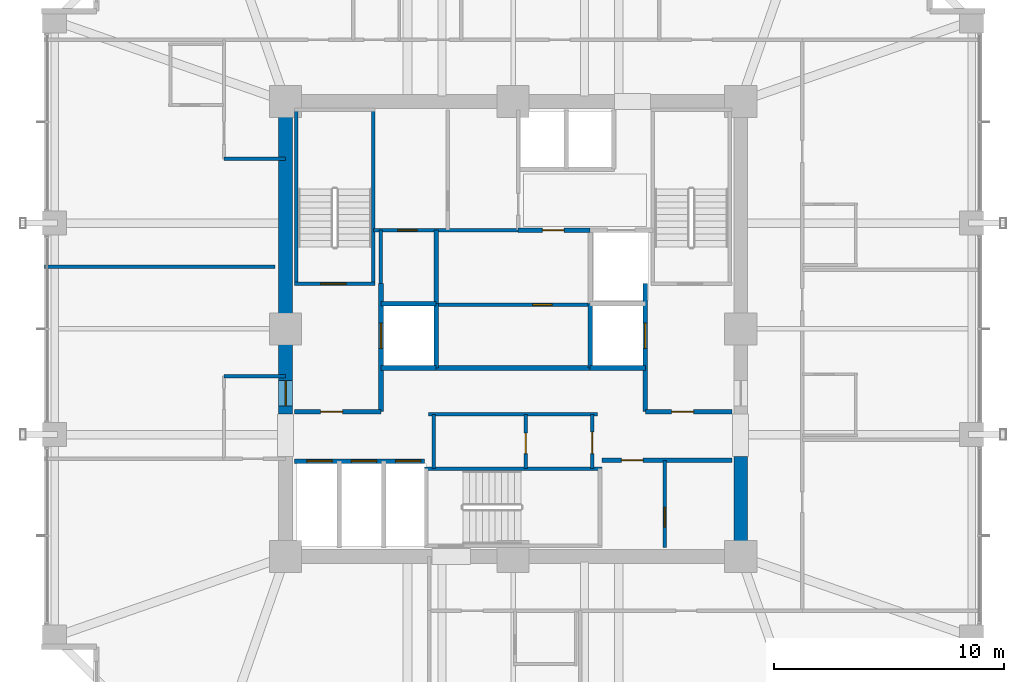
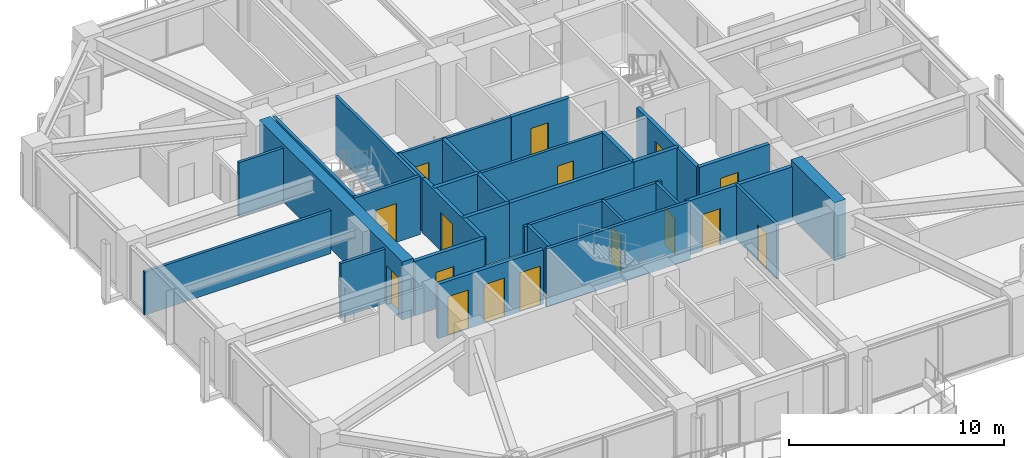
# One storey, part 33 of 38: 31 walls, 16 doors, 16 openings.
"""IFC4 building model written with IfcOpenShell, lengths in metres."""

from ifc_helpers import new_model, si_unit, direction, frame, frame_2d, origin, place, context, subcontext, project, spatial, rectangle, extrude, material, layer, layer_set, type_object, element, fill, save


model = new_model("IFC4")

# Units and contexts
model_context = context("Model", 3, precision=1e-05, world=origin(), true_north=direction((0.0, 1.0)))
body_context = subcontext(model_context, "Body", "Model", "MODEL_VIEW")
ifc_project = project(units=[si_unit("LENGTHUNIT", "METRE"), si_unit("AREAUNIT", "SQUARE_METRE"), si_unit("VOLUMEUNIT", "CUBIC_METRE"), si_unit("PLANEANGLEUNIT", "RADIAN"), si_unit("MASSUNIT", "GRAM", prefix="KILO")], contexts=[model_context])

# Site, building, storey
site_placement = place(None, origin())
site = spatial("IfcSite", under=ifc_project, at=site_placement, CompositionType="ELEMENT")
building_placement = place(site_placement, origin())
building = spatial("IfcBuilding", under=site, at=building_placement, Name="Kolvaren Belvedere", CompositionType="ELEMENT")
storey_placement = place(building_placement, frame((0.0, 0.0, 78.800048828125)))
storey = spatial("IfcBuildingStorey", under=building, at=storey_placement, Name="L22", CompositionType="ELEMENT", Elevation=78.800048828125)

# Wall
ifc_material_1 = material(Name="Concrete C60/75", Category="concrete")
ifc_layer_1 = layer(ifc_material_1, 0.60009765625)
ifc_layer_set_1 = layer_set([ifc_layer_1], Name="Concrete C60/75")
wall_type_1 = type_object("IfcWallType", Name="CW-CORE-600", PredefinedType="SHEAR", material=ifc_layer_set_1)
wall_1_placement = place(storey_placement, frame((9.89990234375, -9.60009765625, 0.0), z_axis=(0.0, 0.0, 1.0), x_axis=(0.0, 1.0, 0.0)))
element("IfcWall", 1, at=wall_1_placement, inside=storey, type_object=wall_type_1, Name="L22 East Core Shear Wall 1", PredefinedType="SHEAR", context=body_context, shape_type="SweptSolid", body=[
    extrude(rectangle(XDim=4.050048828125, YDim=0.60009765625, at=frame_2d((2.02490234375, 0.0))), origin(), (0.0, 0.0, 1.0), 3.300048828125),
])

# Wall, opening, door
wall_2_placement = place(storey_placement, frame((-9.89990234375, -3.699951171875, 0.0), z_axis=(0.0, 0.0, 1.0), x_axis=(0.0, 1.0, 0.0)))
wall_2 = element("IfcWall", 2, at=wall_2_placement, inside=storey, type_object=wall_type_1, Name="L22 West Core Shear Wall 2", PredefinedType="SHEAR", context=body_context, shape_type="SweptSolid", body=[
    extrude(rectangle(XDim=13.300048828125, YDim=0.60009765625, at=frame_2d((6.64990234375, 0.0))), origin(), (0.0, 0.0, 1.0), 3.300048828125),
])
opening_1_placement = place(wall_2_placement, frame((0.35009765625, 0.0, 0.0)))
opening_1 = element("IfcOpeningElement", 3, at=opening_1_placement, cuts=wall_2, Name="Opening D-FD90", PredefinedType="OPENING", context=body_context, shape_type="SweptSolid", body=[
    extrude(rectangle(XDim=1.10009765625, YDim=2.199951171875, at=frame_2d((0.550048828125, 1.10009765625))), frame((0.0, 0.31005859375, 0.0), z_axis=(0.0, -1.0, 0.0), x_axis=(1.0, 0.0, 0.0)), (0.0, 0.0, 1.0), 0.6201171875),
])
ifc_material_2 = material(Name="Painted hollow stainless steel", Category="steel")
door_type_1 = type_object("IfcDoorType", Name="DR-FD90-1100", OperationType="NOTDEFINED", PredefinedType="DOOR", material=ifc_material_2)
door_1_placement = place(opening_1_placement, origin())
door_1 = element("IfcDoor", 4, at=door_1_placement, inside=storey, type_object=door_type_1, Name="L22 West Firefighting Lobby Fire Door", OperationType="SINGLE_SWING_LEFT", OverallHeight=2.199951171875, OverallWidth=1.10009765625, PredefinedType="DOOR", context=body_context, shape_type="SweptSolid", body=[
    extrude(rectangle(XDim=1.10009765625, YDim=2.199951171875, at=frame_2d((0.550048828125, 1.10009765625))), frame((0.0, 0.02490234375, 0.0), z_axis=(0.0, -1.0, 0.0), x_axis=(1.0, 0.0, 0.0)), (0.0, 0.0, 1.0), 0.050048828125),
])
fill(opening_1, door_1)

ifc_material_3 = material(Name="Concrete C50/60", Category="concrete")
ifc_layer_2 = layer(ifc_material_3, 0.159912109375)
ifc_layer_set_2 = layer_set([ifc_layer_2], Name="Concrete C50/60")
wall_type_2 = type_object("IfcWallType", Name="CW-STAIR-160", PredefinedType="SHEAR", material=ifc_layer_set_2)
wall_3_placement = place(storey_placement, frame((-9.52001953125, 1.969970703125, 0.0), z_axis=(0.0, 0.0, 1.0), x_axis=(1.0, 0.0, 0.0)))
wall_3 = element("IfcWall", 5, at=wall_3_placement, inside=storey, type_object=wall_type_2, Name="L22 Stair ST-1 South Shear Wall", PredefinedType="SHEAR", context=body_context, shape_type="SweptSolid", body=[
    extrude(rectangle(XDim=3.52001953125, YDim=0.159912109375, at=frame_2d((1.760009765625, 0.0))), origin(), (0.0, 0.0, 1.0), 3.300048828125),
])
opening_2_placement = place(wall_3_placement, frame((1.14990234375, 0.0, 0.0)))
opening_2 = element("IfcOpeningElement", 6, at=opening_2_placement, cuts=wall_3, Name="Opening D-FD90", PredefinedType="OPENING", context=body_context, shape_type="SweptSolid", body=[
    extrude(rectangle(XDim=1.10009765625, YDim=2.199951171875, at=frame_2d((0.550048828125, 1.10009765625))), frame((0.0, 0.08984375, 0.0), z_axis=(0.0, -1.0, 0.0), x_axis=(1.0, 0.0, 0.0)), (0.0, 0.0, 1.0), 0.179931640625),
])
door_2_placement = place(opening_2_placement, origin())
door_2 = element("IfcDoor", 7, at=door_2_placement, inside=storey, type_object=door_type_1, Name="L22 Stair ST-1 Fire Door", OperationType="SINGLE_SWING_LEFT", OverallHeight=2.199951171875, OverallWidth=1.10009765625, PredefinedType="DOOR", context=body_context, shape_type="SweptSolid", body=[
    extrude(rectangle(XDim=1.10009765625, YDim=2.199951171875, at=frame_2d((0.550048828125, 1.10009765625))), frame((0.0, 0.02490234375, 0.0), z_axis=(0.0, -1.0, 0.0), x_axis=(1.0, 0.0, 0.0)), (0.0, 0.0, 1.0), 0.050048828125),
])
fill(opening_2, door_2)

# Walls
for number, where, z_axis, x_axis, name in (
    (8, (-9.429931640625, 1.969970703125, 0.0), (0.0, 0.0, 1.0), (0.0, 1.0, 0.0), "L22 Stair ST-1 West Shear Wall"),
    (9, (-6.080078125, 1.969970703125, 0.0), (0.0, 0.0, 1.0), (0.0, 1.0, 0.0), "L22 Stair ST-1 East Shear Wall"),
):
    element("IfcWall", number, at=place(storey_placement, frame(where, z_axis=z_axis, x_axis=x_axis)), inside=storey, type_object=wall_type_2, Name=name, PredefinedType="SHEAR", context=body_context, shape_type="SweptSolid", body=[
        extrude(rectangle(XDim=7.56005859375, YDim=0.159912109375, at=frame_2d((3.780029296875, 0.0))), origin(), (0.0, 0.0, 1.0), 3.300048828125),
    ])
wall_4_placement = place(storey_placement, frame((-3.860107421875, -6.080078125, 0.0), z_axis=(0.0, 0.0, 1.0), x_axis=(1.0, 0.0, 0.0)))
element("IfcWall", 10, at=wall_4_placement, inside=storey, type_object=wall_type_2, Name="L22 Stair ST-3 North Shear Wall", PredefinedType="SHEAR", context=body_context, shape_type="SweptSolid", body=[
    extrude(rectangle(XDim=7.72021484375, YDim=0.159912109375, at=frame_2d((3.860107421875, 0.0))), origin(), (0.0, 0.0, 1.0), 3.300048828125),
])
ifc_material_4 = material(Name="Gypsum fire-rated partition assembly", Category="gypsum")
ifc_layer_3 = layer(ifc_material_4, 0.14990234375)
ifc_layer_set_3 = layer_set([ifc_layer_3], Name="Gypsum fire-rated partition assembly")
wall_type_3 = type_object("IfcWallType", Name="WL-CORR-150", PredefinedType="PARTITIONING", material=ifc_layer_set_3)
for number, where, z_axis, x_axis, name in (
    (11, (-12.580078125, 7.39990234375, 0.0), (0.0, 0.0, 1.0), (1.0, 0.0, 0.0), "L22 NW Core Closure Wall"),
    (12, (-12.580078125, -2.050048828125, 0.0), (0.0, 0.0, 1.0), (1.0, 0.0, 0.0), "L22 West Pocket North Closure Wall"),
):
    element("IfcWall", number, at=place(storey_placement, frame(where, z_axis=z_axis, x_axis=x_axis)), inside=storey, type_object=wall_type_3, Name=name, PredefinedType="PARTITIONING", context=body_context, shape_type="SweptSolid", body=[
        extrude(rectangle(XDim=2.68017578125, YDim=0.14990234375, at=frame_2d((1.340087890625, 0.0))), origin(), (0.0, 0.0, 1.0), 3.079833984375),
    ])

# Wall, opening, door
ifc_material_5 = material(Name="Gypsum acoustic partition assembly", Category="gypsum")
ifc_layer_4 = layer(ifc_material_5, 0.14990234375)
ifc_layer_set_4 = layer_set([ifc_layer_4], Name="Gypsum acoustic partition assembly")
wall_type_4 = type_object("IfcWallType", Name="WL-PART-150", PredefinedType="PARTITIONING", material=ifc_layer_set_4)
wall_5_placement = place(storey_placement, frame((-6.080078125, 4.300048828125, 0.0), z_axis=(0.0, 0.0, 1.0), x_axis=(1.0, 0.0, 0.0)))
wall_5 = element("IfcWall", 13, at=wall_5_placement, inside=storey, type_object=wall_type_4, Name="L22 Reclaimed Salon South Wall", PredefinedType="PARTITIONING", context=body_context, shape_type="SweptSolid", body=[
    extrude(rectangle(XDim=6.300048828125, YDim=0.14990234375, at=frame_2d((3.14990234375, 0.0))), origin(), (0.0, 0.0, 1.0), 3.079833984375),
])
opening_3_placement = place(wall_5_placement, frame((1.050048828125, 0.0, 0.0)))
opening_3 = element("IfcOpeningElement", 14, at=opening_3_placement, cuts=wall_5, Name="Opening D-INT85", PredefinedType="OPENING", context=body_context, shape_type="SweptSolid", body=[
    extrude(rectangle(XDim=0.85009765625, YDim=2.030029296875, at=frame_2d((0.425048828125, 1.01513671875))), frame((0.0, 0.0849609375, 0.0), z_axis=(0.0, -1.0, 0.0), x_axis=(1.0, 0.0, 0.0)), (0.0, 0.0, 1.0), 0.169921875),
])
ifc_material_6 = material(Name="Stained Pacific white oak", Category="timber")
door_type_2 = type_object("IfcDoorType", Name="DR-INT-850", OperationType="NOTDEFINED", PredefinedType="DOOR", material=ifc_material_6)
door_3_placement = place(opening_3_placement, origin())
door_3 = element("IfcDoor", 15, at=door_3_placement, inside=storey, type_object=door_type_2, Name="L22 NW Core Store Door", OperationType="SINGLE_SWING_RIGHT", OverallHeight=2.030029296875, OverallWidth=0.85009765625, PredefinedType="DOOR", context=body_context, shape_type="SweptSolid", body=[
    extrude(rectangle(XDim=0.85009765625, YDim=2.030029296875, at=frame_2d((0.425048828125, 1.01513671875))), frame((0.0, 0.02490234375, 0.0), z_axis=(0.0, -1.0, 0.0), x_axis=(1.0, 0.0, 0.0)), (0.0, 0.0, 1.0), 0.050048828125),
])
fill(opening_3, door_3)

wall_6_placement = place(storey_placement, frame((6.60009765625, -9.52001953125, 0.0), z_axis=(0.0, 0.0, 1.0), x_axis=(0.0, 1.0, 0.0)))
wall_6 = element("IfcWall", 16, at=wall_6_placement, inside=storey, type_object=wall_type_4, Name="L22 SE Core Divider", PredefinedType="PARTITIONING", context=body_context, shape_type="SweptSolid", body=[
    extrude(rectangle(XDim=3.800048828125, YDim=0.14990234375, at=frame_2d((1.89990234375, 0.0))), origin(), (0.0, 0.0, 1.0), 3.079833984375),
])
opening_4_placement = place(wall_6_placement, frame((0.89990234375, 0.0, 0.0)))
opening_4 = element("IfcOpeningElement", 17, at=opening_4_placement, cuts=wall_6, Name="Opening D-INT85", PredefinedType="OPENING", context=body_context, shape_type="SweptSolid", body=[
    extrude(rectangle(XDim=0.85009765625, YDim=2.030029296875, at=frame_2d((0.425048828125, 1.01513671875))), frame((0.0, 0.0849609375, 0.0), z_axis=(0.0, -1.0, 0.0), x_axis=(1.0, 0.0, 0.0)), (0.0, 0.0, 1.0), 0.169921875),
])
door_4_placement = place(opening_4_placement, origin())
door_4 = element("IfcDoor", 18, at=door_4_placement, inside=storey, type_object=door_type_2, Name="L22 SE Switchboard Door", OperationType="SINGLE_SWING_LEFT", OverallHeight=2.030029296875, OverallWidth=0.85009765625, PredefinedType="DOOR", context=body_context, shape_type="SweptSolid", body=[
    extrude(rectangle(XDim=0.85009765625, YDim=2.030029296875, at=frame_2d((0.425048828125, 1.01513671875))), frame((0.0, 0.02490234375, 0.0), z_axis=(0.0, -1.0, 0.0), x_axis=(1.0, 0.0, 0.0)), (0.0, 0.0, 1.0), 0.050048828125),
])
fill(opening_4, door_4)

wall_7_placement = place(storey_placement, frame((-3.35009765625, 1.050048828125, 0.0), z_axis=(0.0, 0.0, 1.0), x_axis=(1.0, 0.0, 0.0)))
wall_7 = element("IfcWall", 19, at=wall_7_placement, inside=storey, type_object=wall_type_4, Name="L22 Central Core H-Divider", PredefinedType="PARTITIONING", context=body_context, shape_type="SweptSolid", body=[
    extrude(rectangle(XDim=6.7001953125, YDim=0.14990234375, at=frame_2d((3.35009765625, 0.0))), origin(), (0.0, 0.0, 1.0), 3.079833984375),
])
opening_5_placement = place(wall_7_placement, frame((4.199951171875, 0.0, 0.0)))
opening_5 = element("IfcOpeningElement", 20, at=opening_5_placement, cuts=wall_7, Name="Opening D-INT85", PredefinedType="OPENING", context=body_context, shape_type="SweptSolid", body=[
    extrude(rectangle(XDim=0.85009765625, YDim=2.030029296875, at=frame_2d((0.425048828125, 1.01513671875))), frame((0.0, 0.0849609375, 0.0), z_axis=(0.0, -1.0, 0.0), x_axis=(1.0, 0.0, 0.0)), (0.0, 0.0, 1.0), 0.169921875),
])
door_5_placement = place(opening_5_placement, origin())
door_5 = element("IfcDoor", 21, at=door_5_placement, inside=storey, type_object=door_type_2, Name="L22 Central Archive Door", OperationType="SINGLE_SWING_LEFT", OverallHeight=2.030029296875, OverallWidth=0.85009765625, PredefinedType="DOOR", context=body_context, shape_type="SweptSolid", body=[
    extrude(rectangle(XDim=0.85009765625, YDim=2.030029296875, at=frame_2d((0.425048828125, 1.01513671875))), frame((0.0, 0.02490234375, 0.0), z_axis=(0.0, -1.0, 0.0), x_axis=(1.0, 0.0, 0.0)), (0.0, 0.0, 1.0), 0.050048828125),
])
fill(opening_5, door_5)

# Wall
wall_8_placement = place(storey_placement, frame((-3.679931640625, -3.719970703125, 0.0), z_axis=(0.0, 0.0, 1.0), x_axis=(1.0, 0.0, 0.0)))
element("IfcWall", 22, at=wall_8_placement, inside=storey, type_object=wall_type_4, Name="L22 South Core Service North Wall", PredefinedType="PARTITIONING", context=body_context, shape_type="SweptSolid", body=[
    extrude(rectangle(XDim=7.35986328125, YDim=0.14990234375, at=frame_2d((3.679931640625, 0.0))), origin(), (0.0, 0.0, 1.0), 3.079833984375),
])

# Wall, opening, door
wall_9_placement = place(storey_placement, frame((3.449951171875, -6.080078125, 0.0), z_axis=(0.0, 0.0, 1.0), x_axis=(0.0, 1.0, 0.0)))
wall_9 = element("IfcWall", 23, at=wall_9_placement, inside=storey, type_object=wall_type_4, Name="L22 South Core Service East Wall", PredefinedType="PARTITIONING", context=body_context, shape_type="SweptSolid", body=[
    extrude(rectangle(XDim=2.360107421875, YDim=0.14990234375, at=frame_2d((1.18017578125, 0.0))), origin(), (0.0, 0.0, 1.0), 3.079833984375),
])
opening_6_placement = place(wall_9_placement, frame((0.64990234375, 0.0, 0.0)))
opening_6 = element("IfcOpeningElement", 24, at=opening_6_placement, cuts=wall_9, Name="Opening D-FD60", PredefinedType="OPENING", context=body_context, shape_type="SweptSolid", body=[
    extrude(rectangle(XDim=0.949951171875, YDim=2.06005859375, at=frame_2d((0.47509765625, 1.030029296875))), frame((0.0, 0.0849609375, 0.0), z_axis=(0.0, -1.0, 0.0), x_axis=(1.0, 0.0, 0.0)), (0.0, 0.0, 1.0), 0.169921875),
])
ifc_material_7 = material(Name="Acoustic white-oak fire door leaf", Category="timber")
door_type_3 = type_object("IfcDoorType", Name="DR-FD60-950", OperationType="NOTDEFINED", PredefinedType="DOOR", material=ifc_material_7)
door_6_placement = place(opening_6_placement, origin())
door_6 = element("IfcDoor", 25, at=door_6_placement, inside=storey, type_object=door_type_3, Name="L22 Core Service Room Door", OperationType="SINGLE_SWING_LEFT", OverallHeight=2.06005859375, OverallWidth=0.949951171875, PredefinedType="DOOR", context=body_context, shape_type="SweptSolid", body=[
    extrude(rectangle(XDim=0.949951171875, YDim=2.06005859375, at=frame_2d((0.47509765625, 1.030029296875))), frame((0.0, 0.02490234375, 0.0), z_axis=(0.0, -1.0, 0.0), x_axis=(1.0, 0.0, 0.0)), (0.0, 0.0, 1.0), 0.050048828125),
])
fill(opening_6, door_6)

# Wall
wall_10_placement = place(storey_placement, frame((-3.449951171875, -6.080078125, 0.0), z_axis=(0.0, 0.0, 1.0), x_axis=(0.0, 1.0, 0.0)))
element("IfcWall", 26, at=wall_10_placement, inside=storey, type_object=wall_type_4, Name="L22 South Core Service West Wall", PredefinedType="PARTITIONING", context=body_context, shape_type="SweptSolid", body=[
    extrude(rectangle(XDim=2.360107421875, YDim=0.14990234375, at=frame_2d((1.18017578125, 0.0))), origin(), (0.0, 0.0, 1.0), 3.079833984375),
])

# Wall, opening, door
wall_11_placement = place(storey_placement, frame((0.550048828125, -6.080078125, 0.0), z_axis=(0.0, 0.0, 1.0), x_axis=(0.0, 1.0, 0.0)))
wall_11 = element("IfcWall", 27, at=wall_11_placement, inside=storey, type_object=wall_type_4, Name="L22 Core Service Divider", PredefinedType="PARTITIONING", context=body_context, shape_type="SweptSolid", body=[
    extrude(rectangle(XDim=2.360107421875, YDim=0.14990234375, at=frame_2d((1.18017578125, 0.0))), origin(), (0.0, 0.0, 1.0), 3.079833984375),
])
opening_7_placement = place(wall_11_placement, frame((0.64990234375, 0.0, 0.0)))
opening_7 = element("IfcOpeningElement", 28, at=opening_7_placement, cuts=wall_11, Name="Opening D-INT90", PredefinedType="OPENING", context=body_context, shape_type="SweptSolid", body=[
    extrude(rectangle(XDim=0.89990234375, YDim=2.06005859375, at=frame_2d((0.449951171875, 1.030029296875))), frame((0.0, 0.0849609375, 0.0), z_axis=(0.0, -1.0, 0.0), x_axis=(1.0, 0.0, 0.0)), (0.0, 0.0, 1.0), 0.169921875),
])
ifc_material_8 = material(Name="Stained Pacific white oak", Category="timber")
door_type_4 = type_object("IfcDoorType", Name="DR-INT-900", OperationType="NOTDEFINED", PredefinedType="DOOR", material=ifc_material_8)
door_7_placement = place(opening_7_placement, origin())
door_7 = element("IfcDoor", 29, at=door_7_placement, inside=storey, type_object=door_type_4, Name="L22 BMS Inner Door", OperationType="SINGLE_SWING_LEFT", OverallHeight=2.06005859375, OverallWidth=0.89990234375, PredefinedType="DOOR", context=body_context, shape_type="SweptSolid", body=[
    extrude(rectangle(XDim=0.89990234375, YDim=2.06005859375, at=frame_2d((0.449951171875, 1.030029296875))), frame((0.0, 0.02490234375, 0.0), z_axis=(0.0, -1.0, 0.0), x_axis=(1.0, 0.0, 0.0)), (0.0, 0.0, 1.0), 0.050048828125),
])
fill(opening_7, door_7)

# Walls
wall_12_placement = place(storey_placement, frame((-5.75, 1.969970703125, 0.0), z_axis=(0.0, 0.0, 1.0), x_axis=(0.0, 1.0, 0.0)))
element("IfcWall", 30, at=wall_12_placement, inside=storey, type_object=wall_type_4, Name="L22 NW Service Room West Wall", PredefinedType="PARTITIONING", context=body_context, shape_type="SweptSolid", body=[
    extrude(rectangle(XDim=2.330078125, YDim=0.14990234375, at=frame_2d((1.1650390625, 0.0))), origin(), (0.0, 0.0, 1.0), 3.079833984375),
])
wall_13_placement = place(storey_placement, frame((-20.3798828125, 2.699951171875, 0.0), z_axis=(0.0, 0.0, 1.0), x_axis=(1.0, 0.0, 0.0)))
element("IfcWall", 31, at=wall_13_placement, inside=storey, type_object=wall_type_4, Name="L22 West Upper Suite Divider", PredefinedType="PARTITIONING", context=body_context, shape_type="SweptSolid", body=[
    extrude(rectangle(XDim=10.019775390625, YDim=0.14990234375, at=frame_2d((5.009765625, 0.0))), origin(), (0.0, 0.0, 1.0), 2.448974609375),
])

# Wall, opening, door
ifc_material_9 = material(Name="Concrete C50/60", Category="concrete")
ifc_layer_5 = layer(ifc_material_9, 0.199951171875)
ifc_layer_set_5 = layer_set([ifc_layer_5], Name="Concrete C50/60")
wall_type_5 = type_object("IfcWallType", Name="WL-SHAFT-200", PredefinedType="SOLIDWALL", material=ifc_layer_set_5)
wall_14_placement = place(storey_placement, frame((-9.52001953125, -3.60009765625, 0.0), z_axis=(0.0, 0.0, 1.0), x_axis=(1.0, 0.0, 0.0)))
wall_14 = element("IfcWall", 32, at=wall_14_placement, inside=storey, type_object=wall_type_5, Name="L22 West FSAE Lobby South Wall", PredefinedType="SOLIDWALL", context=body_context, shape_type="SweptSolid", body=[
    extrude(rectangle(XDim=3.77001953125, YDim=0.199951171875, at=frame_2d((1.885009765625, 0.0))), origin(), (0.0, 0.0, 1.0), 3.079833984375),
])
opening_8_placement = place(wall_14_placement, frame((1.14990234375, 0.0, 0.0)))
opening_8 = element("IfcOpeningElement", 33, at=opening_8_placement, cuts=wall_14, Name="Opening D-FD60", PredefinedType="OPENING", context=body_context, shape_type="SweptSolid", body=[
    extrude(rectangle(XDim=0.949951171875, YDim=2.06005859375, at=frame_2d((0.47509765625, 1.030029296875))), frame((0.0, 0.10986328125, 0.0), z_axis=(0.0, -1.0, 0.0), x_axis=(1.0, 0.0, 0.0)), (0.0, 0.0, 1.0), 0.219970703125),
])
door_8_placement = place(opening_8_placement, origin())
door_8 = element("IfcDoor", 34, at=door_8_placement, inside=storey, type_object=door_type_3, Name="L22 Mid-Rise Lift Lobby Fire Door", OperationType="SINGLE_SWING_LEFT", OverallHeight=2.06005859375, OverallWidth=0.949951171875, PredefinedType="DOOR", context=body_context, shape_type="SweptSolid", body=[
    extrude(rectangle(XDim=0.949951171875, YDim=2.06005859375, at=frame_2d((0.47509765625, 1.030029296875))), frame((0.0, 0.02490234375, 0.0), z_axis=(0.0, -1.0, 0.0), x_axis=(1.0, 0.0, 0.0)), (0.0, 0.0, 1.0), 0.050048828125),
])
fill(opening_8, door_8)

wall_15_placement = place(storey_placement, frame((-5.75, -3.60009765625, 0.0), z_axis=(0.0, 0.0, 1.0), x_axis=(0.0, 1.0, 0.0)))
wall_15 = element("IfcWall", 35, at=wall_15_placement, inside=storey, type_object=wall_type_5, Name="L22 FSAE FS1 Landing Wall", PredefinedType="SOLIDWALL", context=body_context, shape_type="SweptSolid", body=[
    extrude(rectangle(XDim=5.570068359375, YDim=0.199951171875, at=frame_2d((2.78515625, 0.0))), origin(), (0.0, 0.0, 1.0), 3.079833984375),
])
opening_9_placement = place(wall_15_placement, frame((2.75, 0.0, 0.0)))
opening_9 = element("IfcOpeningElement", 36, at=opening_9_placement, cuts=wall_15, Name="Opening LD-11", PredefinedType="OPENING", context=body_context, shape_type="SweptSolid", body=[
    extrude(rectangle(XDim=1.10009765625, YDim=2.199951171875, at=frame_2d((0.550048828125, 1.10009765625))), frame((0.0, 0.10986328125, 0.0), z_axis=(0.0, -1.0, 0.0), x_axis=(1.0, 0.0, 0.0)), (0.0, 0.0, 1.0), 0.219970703125),
])
ifc_material_10 = material(Name="Brushed stainless steel", Category="steel")
door_type_5 = type_object("IfcDoorType", Name="DR-LIFT-1100", OperationType="DOUBLE_DOOR_SLIDING", PredefinedType="DOOR", material=ifc_material_10)
door_9_placement = place(opening_9_placement, origin())
door_9 = element("IfcDoor", 37, at=door_9_placement, inside=storey, type_object=door_type_5, Name="L22 Firefighting Lift FS1 Landing Door", OperationType="DOUBLE_DOOR_SLIDING", OverallHeight=2.199951171875, OverallWidth=1.10009765625, PredefinedType="DOOR", context=body_context, shape_type="SweptSolid", body=[
    extrude(rectangle(XDim=1.10009765625, YDim=2.199951171875, at=frame_2d((0.550048828125, 1.10009765625))), frame((0.0, 0.02490234375, 0.0), z_axis=(0.0, -1.0, 0.0), x_axis=(1.0, 0.0, 0.0)), (0.0, 0.0, 1.0), 0.050048828125),
])
fill(opening_9, door_9)

# Walls
wall_16_placement = place(storey_placement, frame((-3.35009765625, -1.699951171875, 0.0), z_axis=(0.0, 0.0, 1.0), x_axis=(0.0, 1.0, 0.0)))
element("IfcWall", 38, at=wall_16_placement, inside=storey, type_object=wall_type_5, Name="L22 FSAE FS1 Back Wall", PredefinedType="SOLIDWALL", context=body_context, shape_type="SweptSolid", body=[
    extrude(rectangle(XDim=2.800048828125, YDim=0.199951171875, at=frame_2d((1.39990234375, 0.0))), origin(), (0.0, 0.0, 1.0), 3.079833984375),
])
for number, where, z_axis, x_axis, name in (
    (39, (-5.75, -1.699951171875, 0.0), (0.0, 0.0, 1.0), (1.0, 0.0, 0.0), "L22 FSAE FS1 South Wall"),
    (40, (-5.75, 1.10009765625, 0.0), (0.0, 0.0, 1.0), (1.0, 0.0, 0.0), "L22 FSAE FS1 North Wall"),
):
    element("IfcWall", number, at=place(storey_placement, frame(where, z_axis=z_axis, x_axis=x_axis)), inside=storey, type_object=wall_type_5, Name=name, PredefinedType="SOLIDWALL", context=body_context, shape_type="SweptSolid", body=[
        extrude(rectangle(XDim=2.39990234375, YDim=0.199951171875, at=frame_2d((1.199951171875, 0.0))), origin(), (0.0, 0.0, 1.0), 3.079833984375),
    ])

# Wall, opening, door
wall_17_placement = place(storey_placement, frame((5.75, -3.60009765625, 0.0), z_axis=(0.0, 0.0, 1.0), x_axis=(1.0, 0.0, 0.0)))
wall_17 = element("IfcWall", 41, at=wall_17_placement, inside=storey, type_object=wall_type_5, Name="L22 East FSAE Lobby South Wall", PredefinedType="SOLIDWALL", context=body_context, shape_type="SweptSolid", body=[
    extrude(rectangle(XDim=3.77001953125, YDim=0.199951171875, at=frame_2d((1.885009765625, 0.0))), origin(), (0.0, 0.0, 1.0), 3.079833984375),
])
opening_10_placement = place(wall_17_placement, frame((1.14990234375, 0.0, 0.0)))
opening_10 = element("IfcOpeningElement", 42, at=opening_10_placement, cuts=wall_17, Name="Opening D-FD60", PredefinedType="OPENING", context=body_context, shape_type="SweptSolid", body=[
    extrude(rectangle(XDim=0.949951171875, YDim=2.06005859375, at=frame_2d((0.47509765625, 1.030029296875))), frame((0.0, 0.10986328125, 0.0), z_axis=(0.0, -1.0, 0.0), x_axis=(1.0, 0.0, 0.0)), (0.0, 0.0, 1.0), 0.219970703125),
])
door_10_placement = place(opening_10_placement, origin())
door_10 = element("IfcDoor", 43, at=door_10_placement, inside=storey, type_object=door_type_3, Name="L22 SE Lift Lobby Fire Door", OperationType="SINGLE_SWING_RIGHT", OverallHeight=2.06005859375, OverallWidth=0.949951171875, PredefinedType="DOOR", context=body_context, shape_type="SweptSolid", body=[
    extrude(rectangle(XDim=0.949951171875, YDim=2.06005859375, at=frame_2d((0.47509765625, 1.030029296875))), frame((0.0, 0.02490234375, 0.0), z_axis=(0.0, -1.0, 0.0), x_axis=(1.0, 0.0, 0.0)), (0.0, 0.0, 1.0), 0.050048828125),
])
fill(opening_10, door_10)

wall_18_placement = place(storey_placement, frame((5.75, -3.60009765625, 0.0), z_axis=(0.0, 0.0, 1.0), x_axis=(0.0, 1.0, 0.0)))
wall_18 = element("IfcWall", 44, at=wall_18_placement, inside=storey, type_object=wall_type_5, Name="L22 FSAE FS2 Landing Wall", PredefinedType="SOLIDWALL", context=body_context, shape_type="SweptSolid", body=[
    extrude(rectangle(XDim=5.570068359375, YDim=0.199951171875, at=frame_2d((2.78515625, 0.0))), origin(), (0.0, 0.0, 1.0), 3.079833984375),
])
opening_11_placement = place(wall_18_placement, frame((2.75, 0.0, 0.0)))
opening_11 = element("IfcOpeningElement", 45, at=opening_11_placement, cuts=wall_18, Name="Opening LD-11", PredefinedType="OPENING", context=body_context, shape_type="SweptSolid", body=[
    extrude(rectangle(XDim=1.10009765625, YDim=2.199951171875, at=frame_2d((0.550048828125, 1.10009765625))), frame((0.0, 0.10986328125, 0.0), z_axis=(0.0, -1.0, 0.0), x_axis=(1.0, 0.0, 0.0)), (0.0, 0.0, 1.0), 0.219970703125),
])
door_11_placement = place(opening_11_placement, origin())
door_11 = element("IfcDoor", 46, at=door_11_placement, inside=storey, type_object=door_type_5, Name="L22 Firefighting Lift FS2 Landing Door", OperationType="DOUBLE_DOOR_SLIDING", OverallHeight=2.199951171875, OverallWidth=1.10009765625, PredefinedType="DOOR", context=body_context, shape_type="SweptSolid", body=[
    extrude(rectangle(XDim=1.10009765625, YDim=2.199951171875, at=frame_2d((0.550048828125, 1.10009765625))), frame((0.0, 0.02490234375, 0.0), z_axis=(0.0, -1.0, 0.0), x_axis=(1.0, 0.0, 0.0)), (0.0, 0.0, 1.0), 0.050048828125),
])
fill(opening_11, door_11)

# Walls
wall_19_placement = place(storey_placement, frame((3.35009765625, -1.699951171875, 0.0), z_axis=(0.0, 0.0, 1.0), x_axis=(0.0, 1.0, 0.0)))
element("IfcWall", 47, at=wall_19_placement, inside=storey, type_object=wall_type_5, Name="L22 FSAE FS2 Back Wall", PredefinedType="SOLIDWALL", context=body_context, shape_type="SweptSolid", body=[
    extrude(rectangle(XDim=2.800048828125, YDim=0.199951171875, at=frame_2d((1.39990234375, 0.0))), origin(), (0.0, 0.0, 1.0), 3.079833984375),
])
wall_20_placement = place(storey_placement, frame((3.35009765625, -1.699951171875, 0.0), z_axis=(0.0, 0.0, 1.0), x_axis=(1.0, 0.0, 0.0)))
element("IfcWall", 48, at=wall_20_placement, inside=storey, type_object=wall_type_5, Name="L22 FSAE FS2 South Wall", PredefinedType="SOLIDWALL", context=body_context, shape_type="SweptSolid", body=[
    extrude(rectangle(XDim=2.39990234375, YDim=0.199951171875, at=frame_2d((1.199951171875, 0.0))), origin(), (0.0, 0.0, 1.0), 3.079833984375),
])

# Wall, openings, doors
wall_21_placement = place(storey_placement, frame((-9.52001953125, -5.75, 0.0), z_axis=(0.0, 0.0, 1.0), x_axis=(1.0, 0.0, 0.0)))
wall_21 = element("IfcWall", 49, at=wall_21_placement, inside=storey, type_object=wall_type_5, Name="L22 Mid-Rise Lift Bank Front Wall", PredefinedType="SOLIDWALL", context=body_context, shape_type="SweptSolid", body=[
    extrude(rectangle(XDim=5.659912109375, YDim=0.199951171875, at=frame_2d((2.830078125, 0.0))), origin(), (0.0, 0.0, 1.0), 3.079833984375),
])
opening_12_placement = place(wall_21_placement, frame((0.550048828125, 0.0, 0.0)))
opening_12 = element("IfcOpeningElement", 50, at=opening_12_placement, cuts=wall_21, Name="Opening LD-11", PredefinedType="OPENING", context=body_context, shape_type="SweptSolid", body=[
    extrude(rectangle(XDim=1.10009765625, YDim=2.199951171875, at=frame_2d((0.550048828125, 1.10009765625))), frame((0.0, 0.10986328125, 0.0), z_axis=(0.0, -1.0, 0.0), x_axis=(1.0, 0.0, 0.0)), (0.0, 0.0, 1.0), 0.219970703125),
])
opening_13_placement = place(wall_21_placement, frame((2.47998046875, 0.0, 0.0)))
opening_13 = element("IfcOpeningElement", 51, at=opening_13_placement, cuts=wall_21, Name="Opening LD-11", PredefinedType="OPENING", context=body_context, shape_type="SweptSolid", body=[
    extrude(rectangle(XDim=1.10009765625, YDim=2.199951171875, at=frame_2d((0.550048828125, 1.10009765625))), frame((0.0, 0.10986328125, 0.0), z_axis=(0.0, -1.0, 0.0), x_axis=(1.0, 0.0, 0.0)), (0.0, 0.0, 1.0), 0.219970703125),
])
opening_14_placement = place(wall_21_placement, frame((4.409912109375, 0.0, 0.0)))
opening_14 = element("IfcOpeningElement", 52, at=opening_14_placement, cuts=wall_21, Name="Opening LD-11", PredefinedType="OPENING", context=body_context, shape_type="SweptSolid", body=[
    extrude(rectangle(XDim=1.10009765625, YDim=2.199951171875, at=frame_2d((0.550048828125, 1.10009765625))), frame((0.0, 0.10986328125, 0.0), z_axis=(0.0, -1.0, 0.0), x_axis=(1.0, 0.0, 0.0)), (0.0, 0.0, 1.0), 0.219970703125),
])
door_12_placement = place(opening_12_placement, origin())
door_12 = element("IfcDoor", 53, at=door_12_placement, inside=storey, type_object=door_type_5, Name="L22 Passenger Lift P4 Landing Door", OperationType="DOUBLE_DOOR_SLIDING", OverallHeight=2.199951171875, OverallWidth=1.10009765625, PredefinedType="DOOR", context=body_context, shape_type="SweptSolid", body=[
    extrude(rectangle(XDim=1.10009765625, YDim=2.199951171875, at=frame_2d((0.550048828125, 1.10009765625))), frame((0.0, 0.02490234375, 0.0), z_axis=(0.0, -1.0, 0.0), x_axis=(1.0, 0.0, 0.0)), (0.0, 0.0, 1.0), 0.050048828125),
])
fill(opening_12, door_12)
door_13_placement = place(opening_13_placement, origin())
door_13 = element("IfcDoor", 54, at=door_13_placement, inside=storey, type_object=door_type_5, Name="L22 Passenger Lift P5 Landing Door", OperationType="DOUBLE_DOOR_SLIDING", OverallHeight=2.199951171875, OverallWidth=1.10009765625, PredefinedType="DOOR", context=body_context, shape_type="SweptSolid", body=[
    extrude(rectangle(XDim=1.10009765625, YDim=2.199951171875, at=frame_2d((0.550048828125, 1.10009765625))), frame((0.0, 0.02490234375, 0.0), z_axis=(0.0, -1.0, 0.0), x_axis=(1.0, 0.0, 0.0)), (0.0, 0.0, 1.0), 0.050048828125),
])
fill(opening_13, door_13)
door_14_placement = place(opening_14_placement, origin())
door_14 = element("IfcDoor", 55, at=door_14_placement, inside=storey, type_object=door_type_5, Name="L22 Passenger Lift P6 Landing Door", OperationType="DOUBLE_DOOR_SLIDING", OverallHeight=2.199951171875, OverallWidth=1.10009765625, PredefinedType="DOOR", context=body_context, shape_type="SweptSolid", body=[
    extrude(rectangle(XDim=1.10009765625, YDim=2.199951171875, at=frame_2d((0.550048828125, 1.10009765625))), frame((0.0, 0.02490234375, 0.0), z_axis=(0.0, -1.0, 0.0), x_axis=(1.0, 0.0, 0.0)), (0.0, 0.0, 1.0), 0.050048828125),
])
fill(opening_14, door_14)

# Wall, opening, door
wall_22_placement = place(storey_placement, frame((3.860107421875, -5.719970703125, 0.0), z_axis=(0.0, 0.0, 1.0), x_axis=(1.0, 0.0, 0.0)))
wall_22 = element("IfcWall", 56, at=wall_22_placement, inside=storey, type_object=wall_type_5, Name="L22 SE Core Distribution Wall", PredefinedType="SOLIDWALL", context=body_context, shape_type="SweptSolid", body=[
    extrude(rectangle(XDim=5.659912109375, YDim=0.199951171875, at=frame_2d((2.830078125, 0.0))), origin(), (0.0, 0.0, 1.0), 3.079833984375),
])
opening_15_placement = place(wall_22_placement, frame((0.85009765625, 0.0, 0.0)))
opening_15 = element("IfcOpeningElement", 57, at=opening_15_placement, cuts=wall_22, Name="Opening D-FD60", PredefinedType="OPENING", context=body_context, shape_type="SweptSolid", body=[
    extrude(rectangle(XDim=0.949951171875, YDim=2.06005859375, at=frame_2d((0.47509765625, 1.030029296875))), frame((0.0, 0.10986328125, 0.0), z_axis=(0.0, -1.0, 0.0), x_axis=(1.0, 0.0, 0.0)), (0.0, 0.0, 1.0), 0.219970703125),
])
door_15_placement = place(opening_15_placement, origin())
door_15 = element("IfcDoor", 58, at=door_15_placement, inside=storey, type_object=door_type_3, Name="L22 SE Telecom Door", OperationType="SINGLE_SWING_RIGHT", OverallHeight=2.06005859375, OverallWidth=0.949951171875, PredefinedType="DOOR", context=body_context, shape_type="SweptSolid", body=[
    extrude(rectangle(XDim=0.949951171875, YDim=2.06005859375, at=frame_2d((0.47509765625, 1.030029296875))), frame((0.0, 0.02490234375, 0.0), z_axis=(0.0, -1.0, 0.0), x_axis=(1.0, 0.0, 0.0)), (0.0, 0.0, 1.0), 0.050048828125),
])
fill(opening_15, door_15)

wall_23_placement = place(storey_placement, frame((0.219970703125, 4.300048828125, 0.0), z_axis=(0.0, 0.0, 1.0), x_axis=(1.0, 0.0, 0.0)))
wall_23 = element("IfcWall", 59, at=wall_23_placement, inside=storey, type_object=wall_type_5, Name="L22 Central Core Room North Wall", PredefinedType="SOLIDWALL", context=body_context, shape_type="SweptSolid", body=[
    extrude(rectangle(XDim=3.130126953125, YDim=0.199951171875, at=frame_2d((1.56494140625, 0.0))), origin(), (0.0, 0.0, 1.0), 3.079833984375),
])
opening_16_placement = place(wall_23_placement, frame((1.050048828125, 0.0, 0.0)))
opening_16 = element("IfcOpeningElement", 60, at=opening_16_placement, cuts=wall_23, Name="Opening D-FD60", PredefinedType="OPENING", context=body_context, shape_type="SweptSolid", body=[
    extrude(rectangle(XDim=0.949951171875, YDim=2.06005859375, at=frame_2d((0.47509765625, 1.030029296875))), frame((0.0, 0.10986328125, 0.0), z_axis=(0.0, -1.0, 0.0), x_axis=(1.0, 0.0, 0.0)), (0.0, 0.0, 1.0), 0.219970703125),
])
door_16_placement = place(opening_16_placement, origin())
door_16 = element("IfcDoor", 61, at=door_16_placement, inside=storey, type_object=door_type_3, Name="L22 Central Core Controls Door", OperationType="SINGLE_SWING_LEFT", OverallHeight=2.06005859375, OverallWidth=0.949951171875, PredefinedType="DOOR", context=body_context, shape_type="SweptSolid", body=[
    extrude(rectangle(XDim=0.949951171875, YDim=2.06005859375, at=frame_2d((0.47509765625, 1.030029296875))), frame((0.0, 0.02490234375, 0.0), z_axis=(0.0, -1.0, 0.0), x_axis=(1.0, 0.0, 0.0)), (0.0, 0.0, 1.0), 0.050048828125),
])
fill(opening_16, door_16)

# Walls
wall_24_placement = place(storey_placement, frame((-3.35009765625, -1.699951171875, 0.0), z_axis=(0.0, 0.0, 1.0), x_axis=(1.0, 0.0, 0.0)))
element("IfcWall", 62, at=wall_24_placement, inside=storey, type_object=wall_type_5, Name="L22 Central Core Room South Wall", PredefinedType="SOLIDWALL", context=body_context, shape_type="SweptSolid", body=[
    extrude(rectangle(XDim=6.7001953125, YDim=0.199951171875, at=frame_2d((3.35009765625, 0.0))), origin(), (0.0, 0.0, 1.0), 3.079833984375),
])
wall_25_placement = place(storey_placement, frame((-3.35009765625, 1.10009765625, 0.0), z_axis=(0.0, 0.0, 1.0), x_axis=(0.0, 1.0, 0.0)))
element("IfcWall", 63, at=wall_25_placement, inside=storey, type_object=wall_type_5, Name="L22 Central Core Room West Wall", PredefinedType="SOLIDWALL", context=body_context, shape_type="SweptSolid", body=[
    extrude(rectangle(XDim=3.199951171875, YDim=0.199951171875, at=frame_2d((1.60009765625, 0.0))), origin(), (0.0, 0.0, 1.0), 3.079833984375),
])

save(model, "model.ifc")
